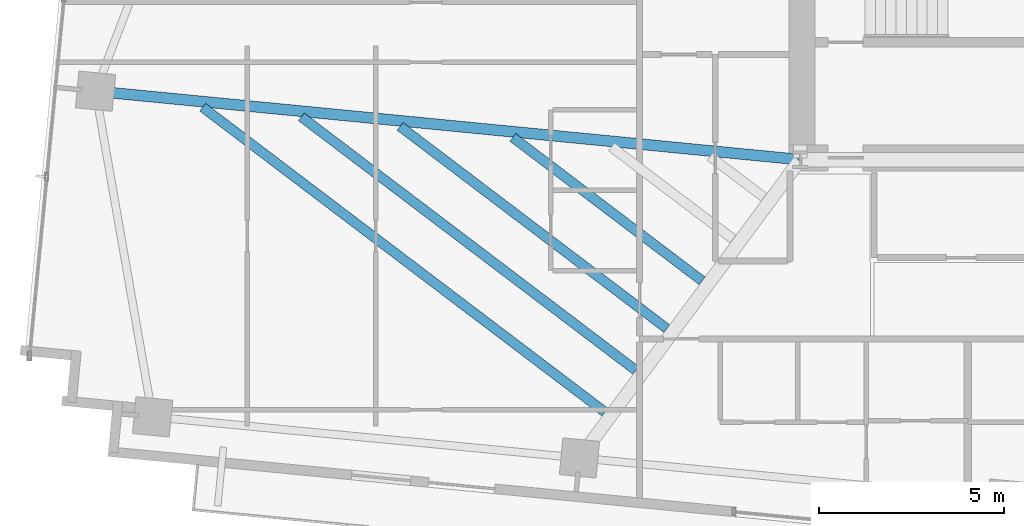
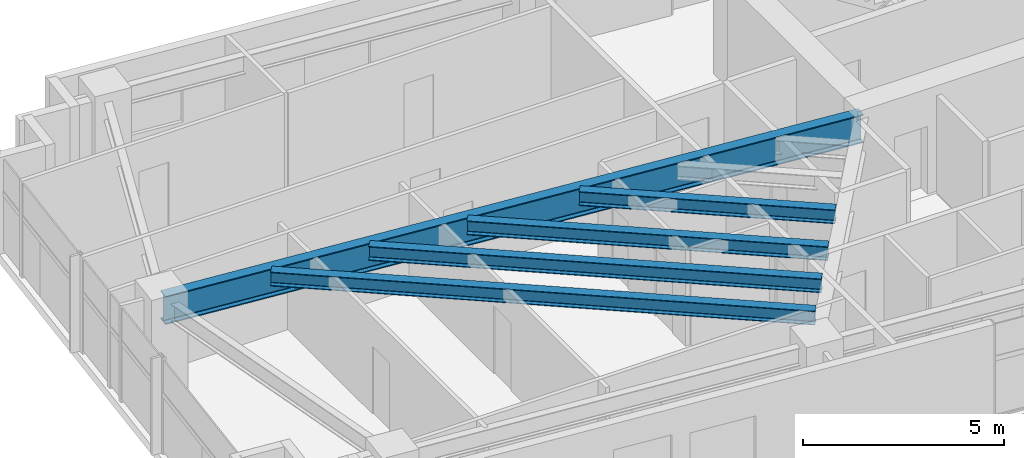
# One storey, part 3 of 20: 5 beams.
"""IFC4 building model written with IfcOpenShell, lengths in metres."""

from ifc_helpers import new_model, si_unit, direction, frame, origin, origin_2d, place, context, subcontext, project, spatial, i_section, extrude, source, transform, mapped, material, material_profile, profile_set, type_object, type_shapes, element, save


model = new_model("IFC4")

# Units and contexts
model_context = context("Model", 3, precision=1e-05, world=origin(), true_north=direction((0.0, 1.0)))
body_context = subcontext(model_context, "Body", "Model", "MODEL_VIEW")
ifc_project = project(units=[si_unit("LENGTHUNIT", "METRE"), si_unit("AREAUNIT", "SQUARE_METRE"), si_unit("VOLUMEUNIT", "CUBIC_METRE"), si_unit("PLANEANGLEUNIT", "RADIAN"), si_unit("MASSUNIT", "GRAM", prefix="KILO")], contexts=[model_context])

# Site, building, storey
site_placement = place(None, origin())
site = spatial("IfcSite", under=ifc_project, at=site_placement, CompositionType="ELEMENT")
building_placement = place(site_placement, origin())
building = spatial("IfcBuilding", under=site, at=building_placement, Name="Astriad Promenade Condominiums", CompositionType="ELEMENT")
storey_placement = place(building_placement, frame((0.0, 0.0, 127.800048828125)))
storey = spatial("IfcBuildingStorey", under=building, at=storey_placement, Name="L36", CompositionType="ELEMENT", Elevation=127.800048828125)

# Beams
ifc_material = material(Name="Steel ASTM A992 Grade 50", Category="steel")
ifc_material_profile_1 = material_profile(ifc_material, i_section(OverallWidth=0.2919921875, OverallDepth=0.85888671875, WebThickness=0.01708984375, FlangeThickness=0.031005859375, FilletRadius=0.02294921875, at=origin_2d()), Name="W33X169")
ifc_profile_set_1 = profile_set([ifc_material_profile_1], Name="Steel ASTM A992 Grade 50")
beam_type_1 = type_object("IfcBeamType", Name="STEEL PRIMARY GIRDER W33X169", PredefinedType="BEAM", material=ifc_profile_set_1)
shared_shape_1 = source(origin(), body_context, "Body", "SweptSolid", [
    extrude(i_section(OverallWidth=0.2919921875, OverallDepth=0.85888671875, WebThickness=0.01708984375, FlangeThickness=0.031005859375, FilletRadius=0.02294921875, at=origin_2d()), origin(), (0.0, 0.0, 1.0), 19.07177734375),
])
type_shapes(beam_type_1, [shared_shape_1])
beam_1_placement = place(storey_placement, frame((7.377685546875, 19.247802734375, 2.510498046875), z_axis=(0.995314830032, -0.096687068001, 0.0), x_axis=(0.096687068001, 0.995314830032, 0.0)))
element("IfcBeam", 1, at=beam_1_placement, inside=storey, type_object=beam_type_1, Name="Primary Floor Girder PG-WM-L36", PredefinedType="BEAM", context=body_context, shape_type="MappedRepresentation", body=[
    mapped(shared_shape_1, transform((0.0, 0.0, 0.0), scale=1.0)),
])
ifc_material_profile_2 = material_profile(ifc_material, i_section(OverallWidth=0.26318359375, OverallDepth=0.425537109375, WebThickness=0.01318359375, FlangeThickness=0.022216796875, FilletRadius=0.013916015625, at=origin_2d()), Name="W16X89")
ifc_profile_set_2 = profile_set([ifc_material_profile_2], Name="Steel ASTM A992 Grade 50")
beam_type_2 = type_object("IfcBeamType", Name="STEEL FLOOR JOIST W16X89", PredefinedType="JOIST", material=ifc_profile_set_2)
shared_shape_2 = source(origin(), body_context, "Body", "SweptSolid", [
    extrude(i_section(OverallWidth=0.26318359375, OverallDepth=0.425537109375, WebThickness=0.01318359375, FlangeThickness=0.022216796875, FilletRadius=0.013916015625, at=origin_2d()), origin(), (0.0, 0.0, 1.0), 13.64697265625),
])
beam_2_placement = place(storey_placement, frame((10.236572265625, 18.818115234375, 2.727294921875), z_axis=(0.796973667543, -0.604014050534, 0.0), x_axis=(0.604014050534, 0.796973667543, 0.0)))
element("IfcBeam", 2, at=beam_2_placement, inside=storey, type_object=beam_type_2, Name="Secondary Composite Floor Joist JW1-1-L36", PredefinedType="JOIST", context=body_context, shape_type="MappedRepresentation", body=[
    mapped(shared_shape_2, transform((0.0, 0.0, 0.0), scale=1.0)),
])
shared_shape_3 = source(origin(), body_context, "Body", "SweptSolid", [
    extrude(i_section(OverallWidth=0.26318359375, OverallDepth=0.425537109375, WebThickness=0.01318359375, FlangeThickness=0.022216796875, FilletRadius=0.013916015625, at=origin_2d()), origin(), (0.0, 0.0, 1.0), 11.347412109375),
])
beam_3_placement = place(storey_placement, frame((12.9052734375, 18.558837890625, 2.727294921875), z_axis=(0.796976964849, -0.60400969984, 0.0), x_axis=(0.60400969984, 0.796976964849, 0.0)))
element("IfcBeam", 3, at=beam_3_placement, inside=storey, type_object=beam_type_2, Name="Secondary Composite Floor Joist JW1-2-L36", PredefinedType="JOIST", context=body_context, shape_type="MappedRepresentation", body=[
    mapped(shared_shape_3, transform((0.0, 0.0, 0.0), scale=1.0)),
])
shared_shape_4 = source(origin(), body_context, "Body", "SweptSolid", [
    extrude(i_section(OverallWidth=0.26318359375, OverallDepth=0.425537109375, WebThickness=0.01318359375, FlangeThickness=0.022216796875, FilletRadius=0.013916015625, at=origin_2d()), origin(), (0.0, 0.0, 1.0), 9.048095703125),
])
beam_4_placement = place(storey_placement, frame((15.573974609375, 18.299560546875, 2.727294921875), z_axis=(0.796981937997, -0.604003137829, 0.0), x_axis=(0.604003137829, 0.796981937997, 0.0)))
element("IfcBeam", 4, at=beam_4_placement, inside=storey, type_object=beam_type_2, Name="Secondary Composite Floor Joist JW1-3-L36", PredefinedType="JOIST", context=body_context, shape_type="MappedRepresentation", body=[
    mapped(shared_shape_4, transform((0.0, 0.0, 0.0), scale=1.0)),
])
shared_shape_5 = source(origin(), body_context, "Body", "SweptSolid", [
    extrude(i_section(OverallWidth=0.26318359375, OverallDepth=0.425537109375, WebThickness=0.01318359375, FlangeThickness=0.022216796875, FilletRadius=0.013916015625, at=origin_2d()), origin(), (0.0, 0.0, 1.0), 6.420654296875),
])
type_shapes(beam_type_2, [shared_shape_2, shared_shape_3, shared_shape_4, shared_shape_5])
beam_5_placement = place(storey_placement, frame((18.6240234375, 18.00341796875, 2.727294921875), z_axis=(0.796964567146, -0.604026057976, 0.0), x_axis=(0.604026057976, 0.796964567146, 0.0)))
element("IfcBeam", 5, at=beam_5_placement, inside=storey, type_object=beam_type_2, Name="Secondary Composite Floor Joist JW1-4-L36", PredefinedType="JOIST", context=body_context, shape_type="MappedRepresentation", body=[
    mapped(shared_shape_5, transform((0.0, 0.0, 0.0), scale=1.0)),
])

save(model, "model.ifc")
